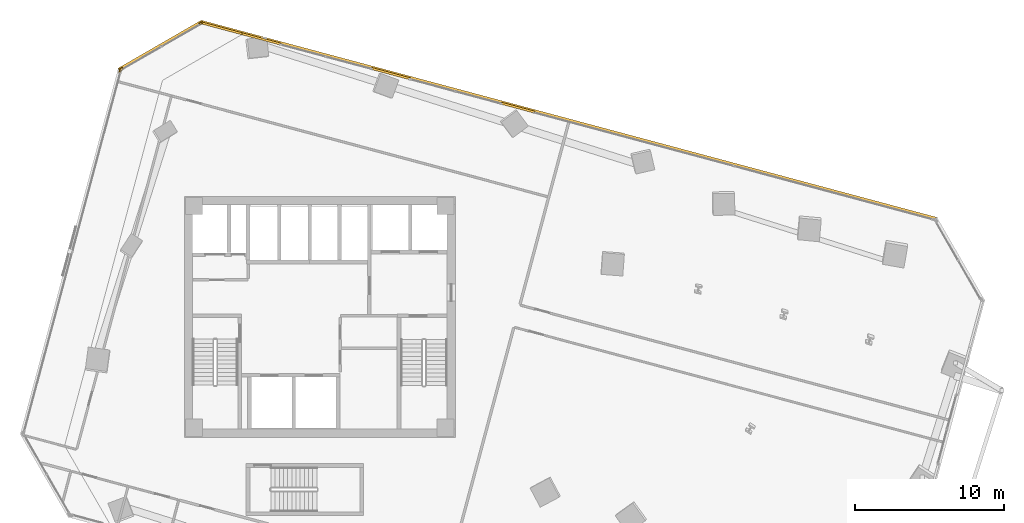
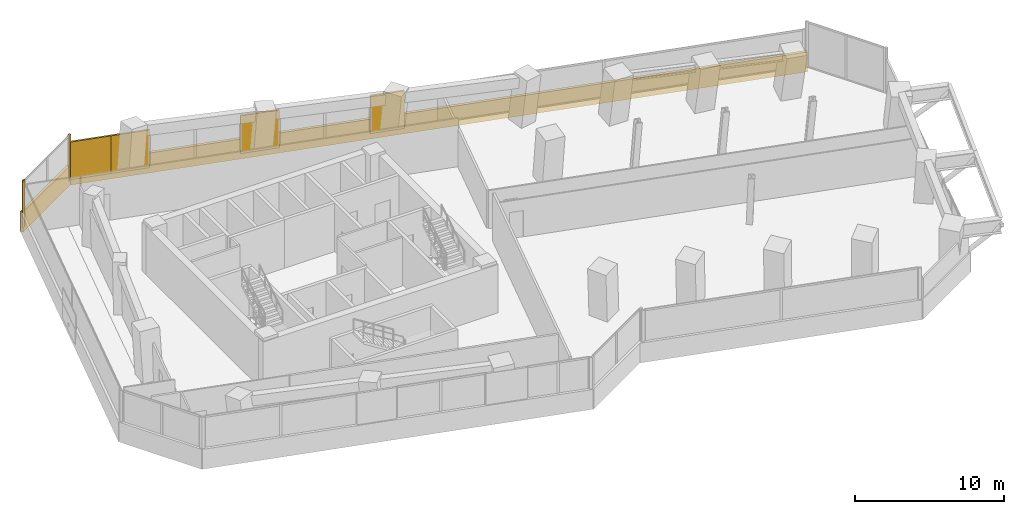
# One storey, part 26 of 27: 9 coverings.
"""IFC4 building model written with IfcOpenShell, lengths in metres."""

from ifc_helpers import new_model, si_unit, direction, frame, origin, origin_2d, place, context, subcontext, project, spatial, rectangle, extrude, source, transform, mapped, material, layer, layer_set, type_object, element, save


model = new_model("IFC4")

# Units and contexts
model_context = context("Model", 3, precision=1e-05, world=origin(), true_north=direction((0.0, 1.0)))
body_context = subcontext(model_context, "Body", "Model", "MODEL_VIEW")
ifc_project = project(units=[si_unit("LENGTHUNIT", "METRE"), si_unit("AREAUNIT", "SQUARE_METRE"), si_unit("VOLUMEUNIT", "CUBIC_METRE"), si_unit("PLANEANGLEUNIT", "RADIAN"), si_unit("MASSUNIT", "GRAM", prefix="KILO")], contexts=[model_context])

# Site, building, storey
site_placement = place(None, origin())
site = spatial("IfcSite", under=ifc_project, at=site_placement, CompositionType="ELEMENT")
building_placement = place(site_placement, origin())
building = spatial("IfcBuilding", under=site, at=building_placement, Name="Torre Montelarca", CompositionType="ELEMENT")
storey_placement = place(building_placement, frame((0.0, 0.0, 108.39990234375)))
storey = spatial("IfcBuildingStorey", under=building, at=storey_placement, Name="L24", CompositionType="ELEMENT", Elevation=108.39990234375)

# Coverings
ifc_material = material(Name="Bush-hammered warm white precast concrete C45/55", Category="concrete")
ifc_layer = layer(ifc_material, 0.139892578125, Name="Bush-hammered warm white precast concrete C45/55", Category="concrete")
ifc_layer_set = layer_set([ifc_layer], Name="Bush-hammered warm white precast concrete C45/55")
covering_type = type_object("IfcCoveringType", Name="COV-TRAY-CLAD", PredefinedType="CLADDING", material=ifc_layer_set)
shared_shape_1 = source(origin(), body_context, "Body", "SweptSolid", [
    extrude(rectangle(XDim=6.48388671875, YDim=0.219970703125, at=origin_2d()), origin(), (0.0, 0.0, 1.0), 1.6201171875),
])
covering_1_placement = place(storey_placement, frame((7.30419921875, 50.223876953125, -0.449951171875), z_axis=(0.0, 0.0, 1.0), x_axis=(-0.866026276448, -0.4999984885, 0.0)))
element("IfcCovering", 1, at=covering_1_placement, inside=storey, type_object=covering_type, Name="L24 Architectural White Spandrel Tray Band TRYBOT-09", PredefinedType="CLADDING", context=body_context, shape_type="MappedRepresentation", body=[
    mapped(shared_shape_1, transform((0.0, 0.0, 0.0), scale=1.0)),
])
shared_shape_2 = source(origin(), body_context, "Body", "SweptSolid", [
    extrude(rectangle(XDim=51.219970703125, YDim=0.219970703125, at=origin_2d()), origin(), (0.0, 0.0, 1.0), 1.6201171875),
])
covering_2_placement = place(storey_placement, frame((34.716552734375, 45.19921875, -0.449951171875), z_axis=(0.0, 0.0, 1.0), x_axis=(-0.965925374563, 0.258820730961, 0.0)))
element("IfcCovering", 2, at=covering_2_placement, inside=storey, type_object=covering_type, Name="L24 Architectural White Spandrel Tray Band TRYBOT-08", PredefinedType="CLADDING", context=body_context, shape_type="MappedRepresentation", body=[
    mapped(shared_shape_2, transform((0.0, 0.0, 0.0), scale=1.0)),
])
shared_shape_3 = source(origin(), body_context, "Body", "SweptSolid", [
    extrude(rectangle(XDim=0.199951171875, YDim=0.139892578125, at=origin_2d()), origin(), (0.0, 0.0, 1.0), 3.719970703125),
])
for number, where, z_axis, x_axis, name in (
    (3, (9.989501953125, 51.705078125, 0.0), (0.0, 0.0, 1.0), (-0.866024531118, -0.500001511499, 0.0), "L24 Architectural Column Pier Cladding E09-1"),
    (4, (4.6787109375, 48.638916015625, 0.0), (0.0, 0.0, 1.0), (-0.866024531118, -0.500001511499, 0.0), "L24 Architectural Column Pier Cladding E09-2"),
    (5, (4.59033203125, 48.523681640625, 0.0), (0.0, 0.0, 1.0), (-0.258819045103, -0.965925826289, 0.0), "L24 Architectural Column Pier Cladding E10-1"),
):
    element("IfcCovering", number, at=place(storey_placement, frame(where, z_axis=z_axis, x_axis=x_axis)), inside=storey, type_object=covering_type, Name=name, PredefinedType="CLADDING", context=body_context, shape_type="MappedRepresentation", body=[
        mapped(shared_shape_3, transform((0.0, 0.0, 0.0), scale=1.0)),
    ])
shared_shape_4 = source(origin(), body_context, "Body", "SweptSolid", [
    extrude(rectangle(XDim=2.360107421875, YDim=0.139892578125, at=origin_2d()), origin(), (0.0, 0.0, 1.0), 3.074951171875),
])
covering_3_placement = place(storey_placement, frame((31.30029296875, 46.052490234375, 0.0), z_axis=(0.0, 0.0, 1.0), x_axis=(-0.965925374563, 0.258820730961, 0.0)))
element("IfcCovering", 6, at=covering_3_placement, inside=storey, type_object=covering_type, Name="L24 Architectural Column Pier Cladding E08-2", PredefinedType="CLADDING", context=body_context, shape_type="MappedRepresentation", body=[
    mapped(shared_shape_4, transform((0.0, 0.0, 0.0), scale=1.0)),
])
shared_shape_5 = source(origin(), body_context, "Body", "SweptSolid", [
    extrude(rectangle(XDim=2.69287109375, YDim=0.139892578125, at=origin_2d()), origin(), (0.0, 0.0, 1.0), 3.074951171875),
])
covering_4_placement = place(storey_placement, frame((22.76953125, 48.338134765625, 0.0), z_axis=(0.0, 0.0, 1.0), x_axis=(-0.965925374563, 0.258820730961, 0.0)))
element("IfcCovering", 7, at=covering_4_placement, inside=storey, type_object=covering_type, Name="L24 Architectural Column Pier Cladding E08-3", PredefinedType="CLADDING", context=body_context, shape_type="MappedRepresentation", body=[
    mapped(shared_shape_5, transform((0.0, 0.0, 0.0), scale=1.0)),
])
shared_shape_6 = source(origin(), body_context, "Body", "SweptSolid", [
    extrude(rectangle(XDim=2.69921875, YDim=0.139892578125, at=origin_2d()), origin(), (0.0, 0.0, 1.0), 3.074951171875),
])
covering_5_placement = place(storey_placement, frame((14.08154296875, 50.666015625, 0.0), z_axis=(0.0, 0.0, 1.0), x_axis=(-0.965925374563, 0.258820730961, 0.0)))
element("IfcCovering", 8, at=covering_5_placement, inside=storey, type_object=covering_type, Name="L24 Architectural Column Pier Cladding E08-4", PredefinedType="CLADDING", context=body_context, shape_type="MappedRepresentation", body=[
    mapped(shared_shape_6, transform((0.0, 0.0, 0.0), scale=1.0)),
])
shared_shape_7 = source(origin(), body_context, "Body", "SweptSolid", [
    extrude(rectangle(XDim=2.9375, YDim=0.139892578125, at=origin_2d()), origin(), (0.0, 0.0, 1.0), 3.074951171875),
])
covering_6_placement = place(storey_placement, frame((11.455810546875, 51.36962890625, 0.0), z_axis=(0.0, 0.0, 1.0), x_axis=(-0.965925374563, 0.258820730961, 0.0)))
element("IfcCovering", 9, at=covering_6_placement, inside=storey, type_object=covering_type, Name="L24 Architectural Column Pier Cladding E08-5", PredefinedType="CLADDING", context=body_context, shape_type="MappedRepresentation", body=[
    mapped(shared_shape_7, transform((0.0, 0.0, 0.0), scale=1.0)),
])

save(model, "model.ifc")
